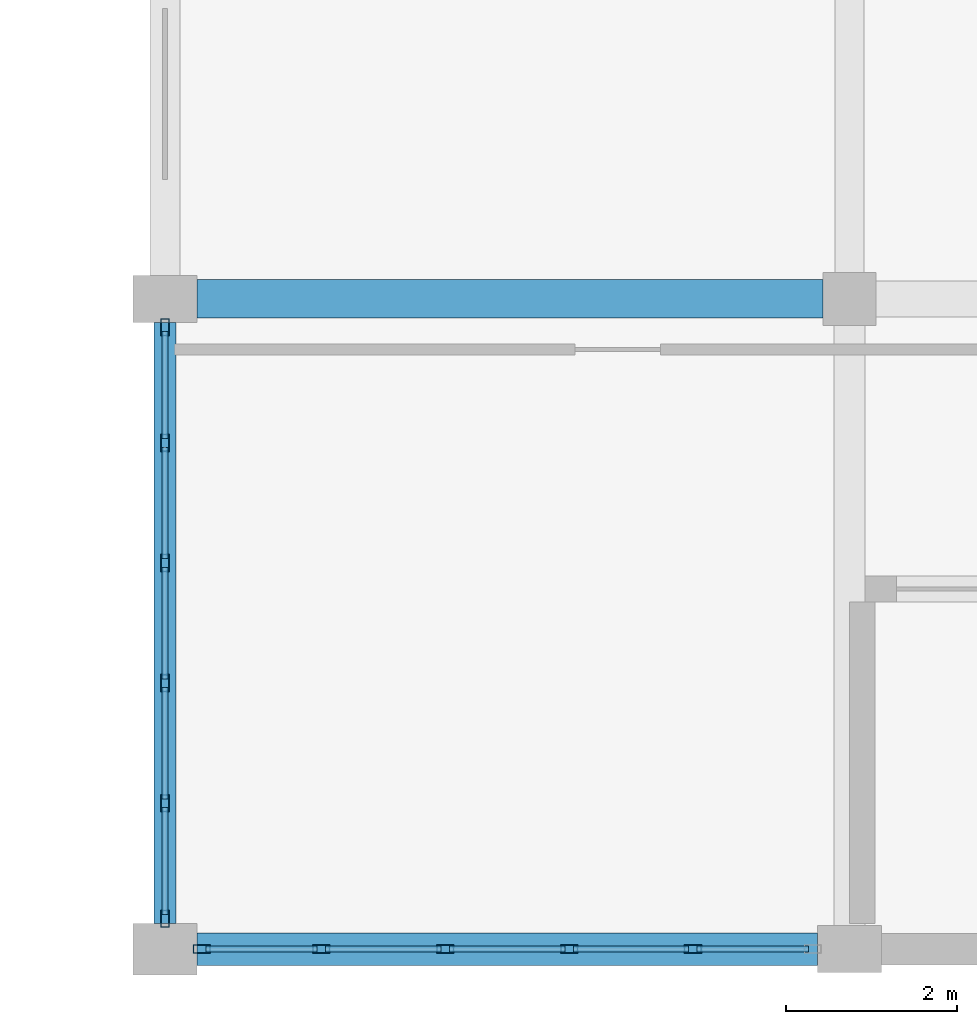
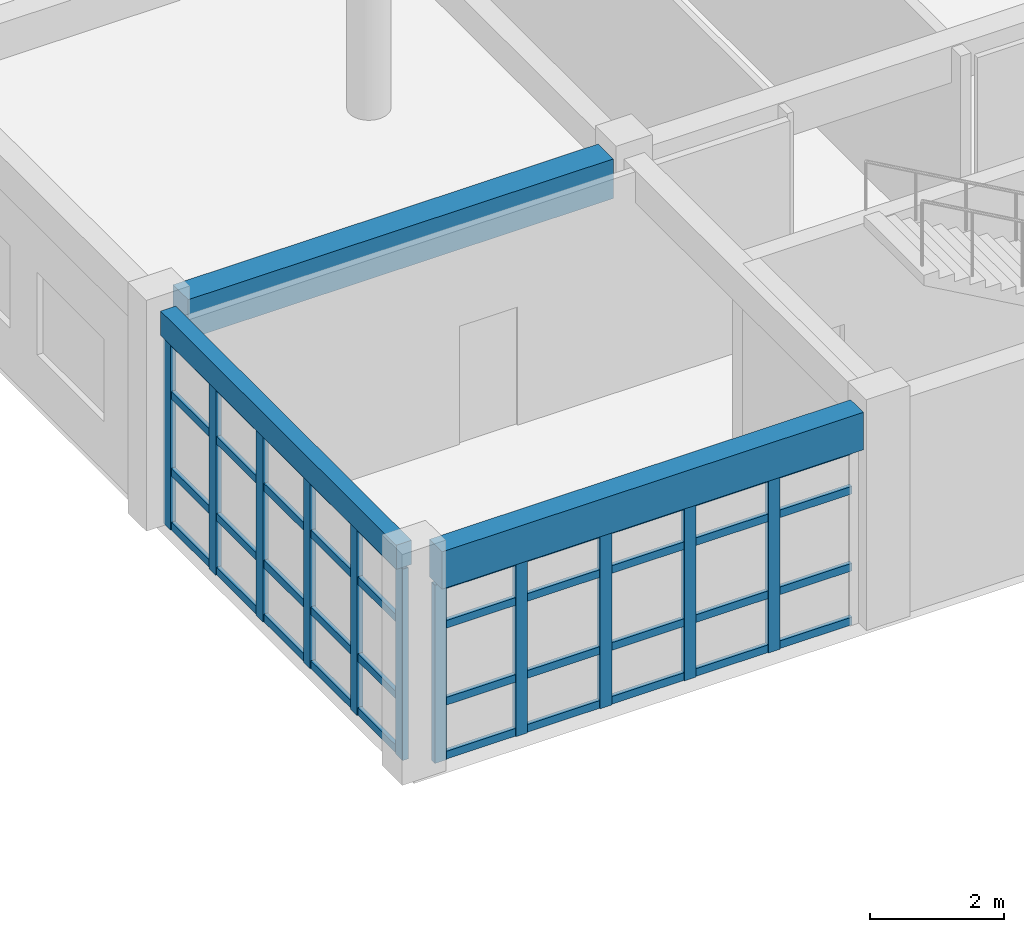
# One storey, part 77 of 195: 51 members, 3 beams, 2 elements without a shape of their own.
"""IFC4 building model written with IfcOpenShell, lengths in metres."""

from ifc_helpers import new_model, si_unit, direction, frame, origin, origin_2d, place, context, subcontext, project, spatial, rectangle, hollow_rectangle, extrude, material, material_profile, profile_set, type_object, element, aggregate, save


model = new_model("IFC4")

# Units and contexts
model_context = context("Model", 3, precision=1e-05, world=origin(), true_north=direction((0.0, 1.0)))
body_context = subcontext(model_context, "Body", "Model", "MODEL_VIEW")
ifc_project = project(units=[si_unit("LENGTHUNIT", "METRE"), si_unit("AREAUNIT", "SQUARE_METRE"), si_unit("VOLUMEUNIT", "CUBIC_METRE"), si_unit("PLANEANGLEUNIT", "RADIAN"), si_unit("MASSUNIT", "GRAM", prefix="KILO")], contexts=[model_context])

# Site, building, storey
site_placement = place(None, origin())
site = spatial("IfcSite", under=ifc_project, at=site_placement, CompositionType="ELEMENT")
building_placement = place(site_placement, origin())
building = spatial("IfcBuilding", under=site, at=building_placement, Name="Kharva Crest Polytechnic", CompositionType="ELEMENT")
storey_placement = place(building_placement, frame((0.0, 0.0, 9.0)))
storey = spatial("IfcBuildingStorey", under=building, at=storey_placement, Name="L02", CompositionType="ELEMENT", Elevation=9.0)

# Beam
ifc_material_1 = material(Name="Concrete C35/45", Category="concrete")
ifc_material_profile_1 = material_profile(ifc_material_1, rectangle(XDim=0.449951171875, YDim=0.719970703125, at=origin_2d()), Name="RECT 450 X 720")
ifc_profile_set_1 = profile_set([ifc_material_profile_1], Name="Concrete C35/45")
beam_type_1 = type_object("IfcBeamType", Name="BM-RC-450X720", PredefinedType="BEAM", material=ifc_profile_set_1)
beam_1_placement = place(storey_placement, frame((121.175048828125, 7.60009765625, 3.56005859375), z_axis=(1.0, 0.0, 0.0), x_axis=(0.0, 1.0, 0.0)))
element("IfcBeam", 1, at=beam_1_placement, inside=storey, type_object=beam_type_1, Name="L02 Beam B/16J-17", PredefinedType="BEAM", context=body_context, shape_type="SweptSolid", body=[
    extrude(rectangle(XDim=0.449951171875, YDim=0.719970703125, at=origin_2d()), origin(), (0.0, 0.0, 1.0), 7.31494140625),
])

# Curtain wall, members
ifc_material_2 = material(Name="Tempered insulated glass", Category="glass")
curtain_wall_type = type_object("IfcCurtainWallType", Name="CW-SYS-REFECTORY", PredefinedType="USERDEFINED", material=ifc_material_2)
curtain_wall_1_placement = place(storey_placement, origin())
curtain_wall_1 = element("IfcCurtainWall", 2, at=curtain_wall_1_placement, inside=storey, type_object=curtain_wall_type, Name="L02 Glazed Curtain Wall CW-093", ObjectType="CURTAIN WALL", PredefinedType="USERDEFINED")
ifc_material_3 = material(Name="Steel S355", Category="steel")
ifc_material_profile_2 = material_profile(ifc_material_3, hollow_rectangle(XDim=0.10009765625, YDim=0.199951171875, WallThickness=0.00634765625, at=origin_2d()), Name="RHS 200X100X6.3")
ifc_profile_set_2 = profile_set([ifc_material_profile_2], Name="Steel S355")
member_type_1 = type_object("IfcMemberType", Name="CWM-RHS200X100", PredefinedType="MULLION", material=ifc_profile_set_2)
member_1_placement = place(storey_placement, frame((120.800048828125, 7.27001953125, 0.0), z_axis=(0.0, 0.0, 1.0), x_axis=(1.0, 0.0, 0.0)))
member_1 = element("IfcMember", 3, at=member_1_placement, type_object=member_type_1, Name="CW-093 mullion 1", PredefinedType="MULLION", context=body_context, shape_type="SweptSolid", body=[
    extrude(hollow_rectangle(XDim=0.10009765625, YDim=0.199951171875, WallThickness=0.00634765625, at=origin_2d()), origin(), (0.0, 0.0, 1.0), 3.47998046875),
])
member_2_placement = place(storey_placement, frame((120.800048828125, 5.9169921875, 0.0), z_axis=(0.0, 0.0, 1.0), x_axis=(1.0, 0.0, 0.0)))
member_2 = element("IfcMember", 4, at=member_2_placement, type_object=member_type_1, Name="CW-093 mullion 2", PredefinedType="MULLION", context=body_context, shape_type="SweptSolid", body=[
    extrude(hollow_rectangle(XDim=0.10009765625, YDim=0.199951171875, WallThickness=0.00634765625, at=origin_2d()), origin(), (0.0, 0.0, 1.0), 3.47998046875),
])
member_3_placement = place(storey_placement, frame((120.800048828125, 4.513916015625, 0.0), z_axis=(0.0, 0.0, 1.0), x_axis=(1.0, 0.0, 0.0)))
member_3 = element("IfcMember", 5, at=member_3_placement, type_object=member_type_1, Name="CW-093 mullion 3", PredefinedType="MULLION", context=body_context, shape_type="SweptSolid", body=[
    extrude(hollow_rectangle(XDim=0.10009765625, YDim=0.199951171875, WallThickness=0.00634765625, at=origin_2d()), origin(), (0.0, 0.0, 1.0), 3.47998046875),
])
member_4_placement = place(storey_placement, frame((120.800048828125, 3.111083984375, 0.0), z_axis=(0.0, 0.0, 1.0), x_axis=(1.0, 0.0, 0.0)))
member_4 = element("IfcMember", 6, at=member_4_placement, type_object=member_type_1, Name="CW-093 mullion 4", PredefinedType="MULLION", context=body_context, shape_type="SweptSolid", body=[
    extrude(hollow_rectangle(XDim=0.10009765625, YDim=0.199951171875, WallThickness=0.00634765625, at=origin_2d()), origin(), (0.0, 0.0, 1.0), 3.47998046875),
])
member_5_placement = place(storey_placement, frame((120.800048828125, 1.7080078125, 0.0), z_axis=(0.0, 0.0, 1.0), x_axis=(1.0, 0.0, 0.0)))
member_5 = element("IfcMember", 7, at=member_5_placement, type_object=member_type_1, Name="CW-093 mullion 5", PredefinedType="MULLION", context=body_context, shape_type="SweptSolid", body=[
    extrude(hollow_rectangle(XDim=0.10009765625, YDim=0.199951171875, WallThickness=0.00634765625, at=origin_2d()), origin(), (0.0, 0.0, 1.0), 3.47998046875),
])
member_6_placement = place(storey_placement, frame((120.800048828125, 0.35498046875, 0.0), z_axis=(0.0, 0.0, 1.0), x_axis=(1.0, 0.0, 0.0)))
member_6 = element("IfcMember", 8, at=member_6_placement, type_object=member_type_1, Name="CW-093 mullion 6", PredefinedType="MULLION", context=body_context, shape_type="SweptSolid", body=[
    extrude(hollow_rectangle(XDim=0.10009765625, YDim=0.199951171875, WallThickness=0.00634765625, at=origin_2d()), origin(), (0.0, 0.0, 1.0), 3.47998046875),
])

curtain_wall_2_placement = place(storey_placement, origin())
curtain_wall_2 = element("IfcCurtainWall", 9, at=curtain_wall_2_placement, inside=storey, type_object=curtain_wall_type, Name="L02 Glazed Curtain Wall CW-094", ObjectType="CURTAIN WALL", PredefinedType="USERDEFINED")
member_7_placement = place(storey_placement, frame((121.22998046875, 0.0, 0.0), z_axis=(0.0, 0.0, 1.0), x_axis=(0.0, 1.0, 0.0)))
member_7 = element("IfcMember", 10, at=member_7_placement, type_object=member_type_1, Name="CW-094 mullion 1", PredefinedType="MULLION", context=body_context, shape_type="SweptSolid", body=[
    extrude(hollow_rectangle(XDim=0.10009765625, YDim=0.199951171875, WallThickness=0.00634765625, at=origin_2d()), origin(), (0.0, 0.0, 1.0), 3.239990234375),
])
member_8_placement = place(storey_placement, frame((122.6279296875, 0.0, 0.0), z_axis=(0.0, 0.0, 1.0), x_axis=(0.0, 1.0, 0.0)))
member_8 = element("IfcMember", 11, at=member_8_placement, type_object=member_type_1, Name="CW-094 mullion 2", PredefinedType="MULLION", context=body_context, shape_type="SweptSolid", body=[
    extrude(hollow_rectangle(XDim=0.10009765625, YDim=0.199951171875, WallThickness=0.00634765625, at=origin_2d()), origin(), (0.0, 0.0, 1.0), 3.239990234375),
])
member_9_placement = place(storey_placement, frame((124.075927734375, 0.0, 0.0), z_axis=(0.0, 0.0, 1.0), x_axis=(0.0, 1.0, 0.0)))
member_9 = element("IfcMember", 12, at=member_9_placement, type_object=member_type_1, Name="CW-094 mullion 3", PredefinedType="MULLION", context=body_context, shape_type="SweptSolid", body=[
    extrude(hollow_rectangle(XDim=0.10009765625, YDim=0.199951171875, WallThickness=0.00634765625, at=origin_2d()), origin(), (0.0, 0.0, 1.0), 3.239990234375),
])
member_10_placement = place(storey_placement, frame((125.52392578125, 0.0, 0.0), z_axis=(0.0, 0.0, 1.0), x_axis=(0.0, 1.0, 0.0)))
member_10 = element("IfcMember", 13, at=member_10_placement, type_object=member_type_1, Name="CW-094 mullion 4", PredefinedType="MULLION", context=body_context, shape_type="SweptSolid", body=[
    extrude(hollow_rectangle(XDim=0.10009765625, YDim=0.199951171875, WallThickness=0.00634765625, at=origin_2d()), origin(), (0.0, 0.0, 1.0), 3.239990234375),
])
member_11_placement = place(storey_placement, frame((126.971923828125, 0.0, 0.0), z_axis=(0.0, 0.0, 1.0), x_axis=(0.0, 1.0, 0.0)))
member_11 = element("IfcMember", 14, at=member_11_placement, type_object=member_type_1, Name="CW-094 mullion 5", PredefinedType="MULLION", context=body_context, shape_type="SweptSolid", body=[
    extrude(hollow_rectangle(XDim=0.10009765625, YDim=0.199951171875, WallThickness=0.00634765625, at=origin_2d()), origin(), (0.0, 0.0, 1.0), 3.239990234375),
])

# Member
ifc_material_profile_3 = material_profile(ifc_material_3, hollow_rectangle(XDim=0.070068359375, YDim=0.139892578125, WallThickness=0.00390625, at=origin_2d()), Name="RHS 140X70X4.0")
ifc_profile_set_3 = profile_set([ifc_material_profile_3], Name="Steel S355")
member_type_2 = type_object("IfcMemberType", Name="CWT-RHS140X70", PredefinedType="USERDEFINED", material=ifc_profile_set_3)
member_12_placement = place(storey_placement, frame((120.800048828125, 7.219970703125, 0.070068359375), z_axis=(0.0, -1.0, 0.0), x_axis=(1.0, 0.0, 0.0)))
member_12 = element("IfcMember", 15, at=member_12_placement, type_object=member_type_2, Name="CW-093 transom 1.1", ObjectType="TRANSOM", PredefinedType="USERDEFINED", context=body_context, shape_type="SweptSolid", body=[
    extrude(hollow_rectangle(XDim=0.070068359375, YDim=0.139892578125, WallThickness=0.00390625, at=origin_2d()), origin(), (0.0, 0.0, 1.0), 1.2529296875),
])

member_13_placement = place(storey_placement, frame((120.800048828125, 7.219970703125, 1.050048828125), z_axis=(0.0, -1.0, 0.0), x_axis=(1.0, 0.0, 0.0)))
member_13 = element("IfcMember", 16, at=member_13_placement, type_object=member_type_2, Name="CW-093 transom 1.2", ObjectType="TRANSOM", PredefinedType="USERDEFINED", context=body_context, shape_type="SweptSolid", body=[
    extrude(hollow_rectangle(XDim=0.070068359375, YDim=0.139892578125, WallThickness=0.00390625, at=origin_2d()), origin(), (0.0, 0.0, 1.0), 1.2529296875),
])

member_14_placement = place(storey_placement, frame((120.800048828125, 7.219970703125, 2.449951171875), z_axis=(0.0, -1.0, 0.0), x_axis=(1.0, 0.0, 0.0)))
member_14 = element("IfcMember", 17, at=member_14_placement, type_object=member_type_2, Name="CW-093 transom 1.3", ObjectType="TRANSOM", PredefinedType="USERDEFINED", context=body_context, shape_type="SweptSolid", body=[
    extrude(hollow_rectangle(XDim=0.070068359375, YDim=0.139892578125, WallThickness=0.00390625, at=origin_2d()), origin(), (0.0, 0.0, 1.0), 1.2529296875),
])

member_15_placement = place(storey_placement, frame((120.800048828125, 7.219970703125, 3.409912109375), z_axis=(0.0, -1.0, 0.0), x_axis=(1.0, 0.0, 0.0)))
member_15 = element("IfcMember", 18, at=member_15_placement, type_object=member_type_2, Name="CW-093 transom 1.4", ObjectType="TRANSOM", PredefinedType="USERDEFINED", context=body_context, shape_type="SweptSolid", body=[
    extrude(hollow_rectangle(XDim=0.070068359375, YDim=0.139892578125, WallThickness=0.00390625, at=origin_2d()), origin(), (0.0, 0.0, 1.0), 1.2529296875),
])

member_16_placement = place(storey_placement, frame((120.800048828125, 5.866943359375, 0.070068359375), z_axis=(0.0, -1.0, 0.0), x_axis=(1.0, 0.0, 0.0)))
member_16 = element("IfcMember", 19, at=member_16_placement, type_object=member_type_2, Name="CW-093 transom 2.1", ObjectType="TRANSOM", PredefinedType="USERDEFINED", context=body_context, shape_type="SweptSolid", body=[
    extrude(hollow_rectangle(XDim=0.070068359375, YDim=0.139892578125, WallThickness=0.00390625, at=origin_2d()), origin(), (0.0, 0.0, 1.0), 1.302978515625),
])

member_17_placement = place(storey_placement, frame((120.800048828125, 5.866943359375, 1.050048828125), z_axis=(0.0, -1.0, 0.0), x_axis=(1.0, 0.0, 0.0)))
member_17 = element("IfcMember", 20, at=member_17_placement, type_object=member_type_2, Name="CW-093 transom 2.2", ObjectType="TRANSOM", PredefinedType="USERDEFINED", context=body_context, shape_type="SweptSolid", body=[
    extrude(hollow_rectangle(XDim=0.070068359375, YDim=0.139892578125, WallThickness=0.00390625, at=origin_2d()), origin(), (0.0, 0.0, 1.0), 1.302978515625),
])

member_18_placement = place(storey_placement, frame((120.800048828125, 5.866943359375, 2.449951171875), z_axis=(0.0, -1.0, 0.0), x_axis=(1.0, 0.0, 0.0)))
member_18 = element("IfcMember", 21, at=member_18_placement, type_object=member_type_2, Name="CW-093 transom 2.3", ObjectType="TRANSOM", PredefinedType="USERDEFINED", context=body_context, shape_type="SweptSolid", body=[
    extrude(hollow_rectangle(XDim=0.070068359375, YDim=0.139892578125, WallThickness=0.00390625, at=origin_2d()), origin(), (0.0, 0.0, 1.0), 1.302978515625),
])

member_19_placement = place(storey_placement, frame((120.800048828125, 5.866943359375, 3.409912109375), z_axis=(0.0, -1.0, 0.0), x_axis=(1.0, 0.0, 0.0)))
member_19 = element("IfcMember", 22, at=member_19_placement, type_object=member_type_2, Name="CW-093 transom 2.4", ObjectType="TRANSOM", PredefinedType="USERDEFINED", context=body_context, shape_type="SweptSolid", body=[
    extrude(hollow_rectangle(XDim=0.070068359375, YDim=0.139892578125, WallThickness=0.00390625, at=origin_2d()), origin(), (0.0, 0.0, 1.0), 1.302978515625),
])

member_20_placement = place(storey_placement, frame((120.800048828125, 4.464111328125, 0.070068359375), z_axis=(0.0, -1.0, 0.0), x_axis=(1.0, 0.0, 0.0)))
member_20 = element("IfcMember", 23, at=member_20_placement, type_object=member_type_2, Name="CW-093 transom 3.1", ObjectType="TRANSOM", PredefinedType="USERDEFINED", context=body_context, shape_type="SweptSolid", body=[
    extrude(hollow_rectangle(XDim=0.070068359375, YDim=0.139892578125, WallThickness=0.00390625, at=origin_2d()), origin(), (0.0, 0.0, 1.0), 1.30322265625),
])

member_21_placement = place(storey_placement, frame((120.800048828125, 4.464111328125, 1.050048828125), z_axis=(0.0, -1.0, 0.0), x_axis=(1.0, 0.0, 0.0)))
member_21 = element("IfcMember", 24, at=member_21_placement, type_object=member_type_2, Name="CW-093 transom 3.2", ObjectType="TRANSOM", PredefinedType="USERDEFINED", context=body_context, shape_type="SweptSolid", body=[
    extrude(hollow_rectangle(XDim=0.070068359375, YDim=0.139892578125, WallThickness=0.00390625, at=origin_2d()), origin(), (0.0, 0.0, 1.0), 1.30322265625),
])

member_22_placement = place(storey_placement, frame((120.800048828125, 4.464111328125, 2.449951171875), z_axis=(0.0, -1.0, 0.0), x_axis=(1.0, 0.0, 0.0)))
member_22 = element("IfcMember", 25, at=member_22_placement, type_object=member_type_2, Name="CW-093 transom 3.3", ObjectType="TRANSOM", PredefinedType="USERDEFINED", context=body_context, shape_type="SweptSolid", body=[
    extrude(hollow_rectangle(XDim=0.070068359375, YDim=0.139892578125, WallThickness=0.00390625, at=origin_2d()), origin(), (0.0, 0.0, 1.0), 1.30322265625),
])

member_23_placement = place(storey_placement, frame((120.800048828125, 4.464111328125, 3.409912109375), z_axis=(0.0, -1.0, 0.0), x_axis=(1.0, 0.0, 0.0)))
member_23 = element("IfcMember", 26, at=member_23_placement, type_object=member_type_2, Name="CW-093 transom 3.4", ObjectType="TRANSOM", PredefinedType="USERDEFINED", context=body_context, shape_type="SweptSolid", body=[
    extrude(hollow_rectangle(XDim=0.070068359375, YDim=0.139892578125, WallThickness=0.00390625, at=origin_2d()), origin(), (0.0, 0.0, 1.0), 1.30322265625),
])

member_24_placement = place(storey_placement, frame((120.800048828125, 3.06103515625, 0.070068359375), z_axis=(0.0, -1.0, 0.0), x_axis=(1.0, 0.0, 0.0)))
member_24 = element("IfcMember", 27, at=member_24_placement, type_object=member_type_2, Name="CW-093 transom 4.1", ObjectType="TRANSOM", PredefinedType="USERDEFINED", context=body_context, shape_type="SweptSolid", body=[
    extrude(hollow_rectangle(XDim=0.070068359375, YDim=0.139892578125, WallThickness=0.00390625, at=origin_2d()), origin(), (0.0, 0.0, 1.0), 1.302978515625),
])

member_25_placement = place(storey_placement, frame((120.800048828125, 3.06103515625, 1.050048828125), z_axis=(0.0, -1.0, 0.0), x_axis=(1.0, 0.0, 0.0)))
member_25 = element("IfcMember", 28, at=member_25_placement, type_object=member_type_2, Name="CW-093 transom 4.2", ObjectType="TRANSOM", PredefinedType="USERDEFINED", context=body_context, shape_type="SweptSolid", body=[
    extrude(hollow_rectangle(XDim=0.070068359375, YDim=0.139892578125, WallThickness=0.00390625, at=origin_2d()), origin(), (0.0, 0.0, 1.0), 1.302978515625),
])

member_26_placement = place(storey_placement, frame((120.800048828125, 3.06103515625, 2.449951171875), z_axis=(0.0, -1.0, 0.0), x_axis=(1.0, 0.0, 0.0)))
member_26 = element("IfcMember", 29, at=member_26_placement, type_object=member_type_2, Name="CW-093 transom 4.3", ObjectType="TRANSOM", PredefinedType="USERDEFINED", context=body_context, shape_type="SweptSolid", body=[
    extrude(hollow_rectangle(XDim=0.070068359375, YDim=0.139892578125, WallThickness=0.00390625, at=origin_2d()), origin(), (0.0, 0.0, 1.0), 1.302978515625),
])

member_27_placement = place(storey_placement, frame((120.800048828125, 3.06103515625, 3.409912109375), z_axis=(0.0, -1.0, 0.0), x_axis=(1.0, 0.0, 0.0)))
member_27 = element("IfcMember", 30, at=member_27_placement, type_object=member_type_2, Name="CW-093 transom 4.4", ObjectType="TRANSOM", PredefinedType="USERDEFINED", context=body_context, shape_type="SweptSolid", body=[
    extrude(hollow_rectangle(XDim=0.070068359375, YDim=0.139892578125, WallThickness=0.00390625, at=origin_2d()), origin(), (0.0, 0.0, 1.0), 1.302978515625),
])

member_28_placement = place(storey_placement, frame((120.800048828125, 1.657958984375, 0.070068359375), z_axis=(0.0, -1.0, 0.0), x_axis=(1.0, 0.0, 0.0)))
member_28 = element("IfcMember", 31, at=member_28_placement, type_object=member_type_2, Name="CW-093 transom 5.1", ObjectType="TRANSOM", PredefinedType="USERDEFINED", context=body_context, shape_type="SweptSolid", body=[
    extrude(hollow_rectangle(XDim=0.070068359375, YDim=0.139892578125, WallThickness=0.00390625, at=origin_2d()), origin(), (0.0, 0.0, 1.0), 1.2529296875),
])

member_29_placement = place(storey_placement, frame((120.800048828125, 1.657958984375, 1.050048828125), z_axis=(0.0, -1.0, 0.0), x_axis=(1.0, 0.0, 0.0)))
member_29 = element("IfcMember", 32, at=member_29_placement, type_object=member_type_2, Name="CW-093 transom 5.2", ObjectType="TRANSOM", PredefinedType="USERDEFINED", context=body_context, shape_type="SweptSolid", body=[
    extrude(hollow_rectangle(XDim=0.070068359375, YDim=0.139892578125, WallThickness=0.00390625, at=origin_2d()), origin(), (0.0, 0.0, 1.0), 1.2529296875),
])

member_30_placement = place(storey_placement, frame((120.800048828125, 1.657958984375, 2.449951171875), z_axis=(0.0, -1.0, 0.0), x_axis=(1.0, 0.0, 0.0)))
member_30 = element("IfcMember", 33, at=member_30_placement, type_object=member_type_2, Name="CW-093 transom 5.3", ObjectType="TRANSOM", PredefinedType="USERDEFINED", context=body_context, shape_type="SweptSolid", body=[
    extrude(hollow_rectangle(XDim=0.070068359375, YDim=0.139892578125, WallThickness=0.00390625, at=origin_2d()), origin(), (0.0, 0.0, 1.0), 1.2529296875),
])

member_31_placement = place(storey_placement, frame((120.800048828125, 1.657958984375, 3.409912109375), z_axis=(0.0, -1.0, 0.0), x_axis=(1.0, 0.0, 0.0)))
member_31 = element("IfcMember", 34, at=member_31_placement, type_object=member_type_2, Name="CW-093 transom 5.4", ObjectType="TRANSOM", PredefinedType="USERDEFINED", context=body_context, shape_type="SweptSolid", body=[
    extrude(hollow_rectangle(XDim=0.070068359375, YDim=0.139892578125, WallThickness=0.00390625, at=origin_2d()), origin(), (0.0, 0.0, 1.0), 1.2529296875),
])

aggregate(curtain_wall_1, [member_1, member_2, member_3, member_4, member_5, member_6, member_12, member_13, member_14, member_15, member_16, member_17, member_18, member_19, member_20, member_21, member_22, member_23, member_24, member_25, member_26, member_27, member_28, member_29, member_30, member_31])

member_32_placement = place(storey_placement, frame((121.280029296875, 0.0, 0.070068359375), z_axis=(1.0, 0.0, 0.0), x_axis=(0.0, 1.0, 0.0)))
member_32 = element("IfcMember", 35, at=member_32_placement, type_object=member_type_2, Name="CW-094 transom 1.1", ObjectType="TRANSOM", PredefinedType="USERDEFINED", context=body_context, shape_type="SweptSolid", body=[
    extrude(hollow_rectangle(XDim=0.070068359375, YDim=0.139892578125, WallThickness=0.00390625, at=origin_2d()), origin(), (0.0, 0.0, 1.0), 1.2978515625),
])

member_33_placement = place(storey_placement, frame((121.280029296875, 0.0, 1.050048828125), z_axis=(1.0, 0.0, 0.0), x_axis=(0.0, 1.0, 0.0)))
member_33 = element("IfcMember", 36, at=member_33_placement, type_object=member_type_2, Name="CW-094 transom 1.2", ObjectType="TRANSOM", PredefinedType="USERDEFINED", context=body_context, shape_type="SweptSolid", body=[
    extrude(hollow_rectangle(XDim=0.070068359375, YDim=0.139892578125, WallThickness=0.00390625, at=origin_2d()), origin(), (0.0, 0.0, 1.0), 1.2978515625),
])

member_34_placement = place(storey_placement, frame((121.280029296875, 0.0, 2.449951171875), z_axis=(1.0, 0.0, 0.0), x_axis=(0.0, 1.0, 0.0)))
member_34 = element("IfcMember", 37, at=member_34_placement, type_object=member_type_2, Name="CW-094 transom 1.3", ObjectType="TRANSOM", PredefinedType="USERDEFINED", context=body_context, shape_type="SweptSolid", body=[
    extrude(hollow_rectangle(XDim=0.070068359375, YDim=0.139892578125, WallThickness=0.00390625, at=origin_2d()), origin(), (0.0, 0.0, 1.0), 1.2978515625),
])

member_35_placement = place(storey_placement, frame((121.280029296875, 0.0, 3.169921875), z_axis=(1.0, 0.0, 0.0), x_axis=(0.0, 1.0, 0.0)))
member_35 = element("IfcMember", 38, at=member_35_placement, type_object=member_type_2, Name="CW-094 transom 1.4", ObjectType="TRANSOM", PredefinedType="USERDEFINED", context=body_context, shape_type="SweptSolid", body=[
    extrude(hollow_rectangle(XDim=0.070068359375, YDim=0.139892578125, WallThickness=0.00390625, at=origin_2d()), origin(), (0.0, 0.0, 1.0), 1.2978515625),
])

member_36_placement = place(storey_placement, frame((122.677978515625, 0.0, 0.070068359375), z_axis=(1.0, 0.0, 0.0), x_axis=(0.0, 1.0, 0.0)))
member_36 = element("IfcMember", 39, at=member_36_placement, type_object=member_type_2, Name="CW-094 transom 2.1", ObjectType="TRANSOM", PredefinedType="USERDEFINED", context=body_context, shape_type="SweptSolid", body=[
    extrude(hollow_rectangle(XDim=0.070068359375, YDim=0.139892578125, WallThickness=0.00390625, at=origin_2d()), origin(), (0.0, 0.0, 1.0), 1.347900390625),
])

member_37_placement = place(storey_placement, frame((122.677978515625, 0.0, 1.050048828125), z_axis=(1.0, 0.0, 0.0), x_axis=(0.0, 1.0, 0.0)))
member_37 = element("IfcMember", 40, at=member_37_placement, type_object=member_type_2, Name="CW-094 transom 2.2", ObjectType="TRANSOM", PredefinedType="USERDEFINED", context=body_context, shape_type="SweptSolid", body=[
    extrude(hollow_rectangle(XDim=0.070068359375, YDim=0.139892578125, WallThickness=0.00390625, at=origin_2d()), origin(), (0.0, 0.0, 1.0), 1.347900390625),
])

member_38_placement = place(storey_placement, frame((122.677978515625, 0.0, 2.449951171875), z_axis=(1.0, 0.0, 0.0), x_axis=(0.0, 1.0, 0.0)))
member_38 = element("IfcMember", 41, at=member_38_placement, type_object=member_type_2, Name="CW-094 transom 2.3", ObjectType="TRANSOM", PredefinedType="USERDEFINED", context=body_context, shape_type="SweptSolid", body=[
    extrude(hollow_rectangle(XDim=0.070068359375, YDim=0.139892578125, WallThickness=0.00390625, at=origin_2d()), origin(), (0.0, 0.0, 1.0), 1.347900390625),
])

member_39_placement = place(storey_placement, frame((122.677978515625, 0.0, 3.169921875), z_axis=(1.0, 0.0, 0.0), x_axis=(0.0, 1.0, 0.0)))
member_39 = element("IfcMember", 42, at=member_39_placement, type_object=member_type_2, Name="CW-094 transom 2.4", ObjectType="TRANSOM", PredefinedType="USERDEFINED", context=body_context, shape_type="SweptSolid", body=[
    extrude(hollow_rectangle(XDim=0.070068359375, YDim=0.139892578125, WallThickness=0.00390625, at=origin_2d()), origin(), (0.0, 0.0, 1.0), 1.347900390625),
])

member_40_placement = place(storey_placement, frame((124.1259765625, 0.0, 0.070068359375), z_axis=(1.0, 0.0, 0.0), x_axis=(0.0, 1.0, 0.0)))
member_40 = element("IfcMember", 43, at=member_40_placement, type_object=member_type_2, Name="CW-094 transom 3.1", ObjectType="TRANSOM", PredefinedType="USERDEFINED", context=body_context, shape_type="SweptSolid", body=[
    extrude(hollow_rectangle(XDim=0.070068359375, YDim=0.139892578125, WallThickness=0.00390625, at=origin_2d()), origin(), (0.0, 0.0, 1.0), 1.34814453125),
])

member_41_placement = place(storey_placement, frame((124.1259765625, 0.0, 1.050048828125), z_axis=(1.0, 0.0, 0.0), x_axis=(0.0, 1.0, 0.0)))
member_41 = element("IfcMember", 44, at=member_41_placement, type_object=member_type_2, Name="CW-094 transom 3.2", ObjectType="TRANSOM", PredefinedType="USERDEFINED", context=body_context, shape_type="SweptSolid", body=[
    extrude(hollow_rectangle(XDim=0.070068359375, YDim=0.139892578125, WallThickness=0.00390625, at=origin_2d()), origin(), (0.0, 0.0, 1.0), 1.34814453125),
])

member_42_placement = place(storey_placement, frame((124.1259765625, 0.0, 2.449951171875), z_axis=(1.0, 0.0, 0.0), x_axis=(0.0, 1.0, 0.0)))
member_42 = element("IfcMember", 45, at=member_42_placement, type_object=member_type_2, Name="CW-094 transom 3.3", ObjectType="TRANSOM", PredefinedType="USERDEFINED", context=body_context, shape_type="SweptSolid", body=[
    extrude(hollow_rectangle(XDim=0.070068359375, YDim=0.139892578125, WallThickness=0.00390625, at=origin_2d()), origin(), (0.0, 0.0, 1.0), 1.34814453125),
])

member_43_placement = place(storey_placement, frame((124.1259765625, 0.0, 3.169921875), z_axis=(1.0, 0.0, 0.0), x_axis=(0.0, 1.0, 0.0)))
member_43 = element("IfcMember", 46, at=member_43_placement, type_object=member_type_2, Name="CW-094 transom 3.4", ObjectType="TRANSOM", PredefinedType="USERDEFINED", context=body_context, shape_type="SweptSolid", body=[
    extrude(hollow_rectangle(XDim=0.070068359375, YDim=0.139892578125, WallThickness=0.00390625, at=origin_2d()), origin(), (0.0, 0.0, 1.0), 1.34814453125),
])

member_44_placement = place(storey_placement, frame((125.573974609375, 0.0, 0.070068359375), z_axis=(1.0, 0.0, 0.0), x_axis=(0.0, 1.0, 0.0)))
member_44 = element("IfcMember", 47, at=member_44_placement, type_object=member_type_2, Name="CW-094 transom 4.1", ObjectType="TRANSOM", PredefinedType="USERDEFINED", context=body_context, shape_type="SweptSolid", body=[
    extrude(hollow_rectangle(XDim=0.070068359375, YDim=0.139892578125, WallThickness=0.00390625, at=origin_2d()), origin(), (0.0, 0.0, 1.0), 1.34814453125),
])

member_45_placement = place(storey_placement, frame((125.573974609375, 0.0, 1.050048828125), z_axis=(1.0, 0.0, 0.0), x_axis=(0.0, 1.0, 0.0)))
member_45 = element("IfcMember", 48, at=member_45_placement, type_object=member_type_2, Name="CW-094 transom 4.2", ObjectType="TRANSOM", PredefinedType="USERDEFINED", context=body_context, shape_type="SweptSolid", body=[
    extrude(hollow_rectangle(XDim=0.070068359375, YDim=0.139892578125, WallThickness=0.00390625, at=origin_2d()), origin(), (0.0, 0.0, 1.0), 1.34814453125),
])

member_46_placement = place(storey_placement, frame((125.573974609375, 0.0, 2.449951171875), z_axis=(1.0, 0.0, 0.0), x_axis=(0.0, 1.0, 0.0)))
member_46 = element("IfcMember", 49, at=member_46_placement, type_object=member_type_2, Name="CW-094 transom 4.3", ObjectType="TRANSOM", PredefinedType="USERDEFINED", context=body_context, shape_type="SweptSolid", body=[
    extrude(hollow_rectangle(XDim=0.070068359375, YDim=0.139892578125, WallThickness=0.00390625, at=origin_2d()), origin(), (0.0, 0.0, 1.0), 1.34814453125),
])

member_47_placement = place(storey_placement, frame((125.573974609375, 0.0, 3.169921875), z_axis=(1.0, 0.0, 0.0), x_axis=(0.0, 1.0, 0.0)))
member_47 = element("IfcMember", 50, at=member_47_placement, type_object=member_type_2, Name="CW-094 transom 4.4", ObjectType="TRANSOM", PredefinedType="USERDEFINED", context=body_context, shape_type="SweptSolid", body=[
    extrude(hollow_rectangle(XDim=0.070068359375, YDim=0.139892578125, WallThickness=0.00390625, at=origin_2d()), origin(), (0.0, 0.0, 1.0), 1.34814453125),
])

member_48_placement = place(storey_placement, frame((127.02197265625, 0.0, 0.070068359375), z_axis=(1.0, 0.0, 0.0), x_axis=(0.0, 1.0, 0.0)))
member_48 = element("IfcMember", 51, at=member_48_placement, type_object=member_type_2, Name="CW-094 transom 5.1", ObjectType="TRANSOM", PredefinedType="USERDEFINED", context=body_context, shape_type="SweptSolid", body=[
    extrude(hollow_rectangle(XDim=0.070068359375, YDim=0.139892578125, WallThickness=0.00390625, at=origin_2d()), origin(), (0.0, 0.0, 1.0), 1.298095703125),
])

member_49_placement = place(storey_placement, frame((127.02197265625, 0.0, 1.050048828125), z_axis=(1.0, 0.0, 0.0), x_axis=(0.0, 1.0, 0.0)))
member_49 = element("IfcMember", 52, at=member_49_placement, type_object=member_type_2, Name="CW-094 transom 5.2", ObjectType="TRANSOM", PredefinedType="USERDEFINED", context=body_context, shape_type="SweptSolid", body=[
    extrude(hollow_rectangle(XDim=0.070068359375, YDim=0.139892578125, WallThickness=0.00390625, at=origin_2d()), origin(), (0.0, 0.0, 1.0), 1.298095703125),
])

member_50_placement = place(storey_placement, frame((127.02197265625, 0.0, 2.449951171875), z_axis=(1.0, 0.0, 0.0), x_axis=(0.0, 1.0, 0.0)))
member_50 = element("IfcMember", 53, at=member_50_placement, type_object=member_type_2, Name="CW-094 transom 5.3", ObjectType="TRANSOM", PredefinedType="USERDEFINED", context=body_context, shape_type="SweptSolid", body=[
    extrude(hollow_rectangle(XDim=0.070068359375, YDim=0.139892578125, WallThickness=0.00390625, at=origin_2d()), origin(), (0.0, 0.0, 1.0), 1.298095703125),
])

member_51_placement = place(storey_placement, frame((127.02197265625, 0.0, 3.169921875), z_axis=(1.0, 0.0, 0.0), x_axis=(0.0, 1.0, 0.0)))
member_51 = element("IfcMember", 54, at=member_51_placement, type_object=member_type_2, Name="CW-094 transom 5.4", ObjectType="TRANSOM", PredefinedType="USERDEFINED", context=body_context, shape_type="SweptSolid", body=[
    extrude(hollow_rectangle(XDim=0.070068359375, YDim=0.139892578125, WallThickness=0.00390625, at=origin_2d()), origin(), (0.0, 0.0, 1.0), 1.298095703125),
])

aggregate(curtain_wall_2, [member_7, member_8, member_9, member_10, member_11, member_32, member_33, member_34, member_35, member_36, member_37, member_38, member_39, member_40, member_41, member_42, member_43, member_44, member_45, member_46, member_47, member_48, member_49, member_50, member_51])

# Beams
ifc_material_profile_4 = material_profile(ifc_material_1, rectangle(XDim=0.260009765625, YDim=0.43994140625, at=origin_2d()), Name="RECT 260 X 440")
ifc_profile_set_4 = profile_set([ifc_material_profile_4], Name="Concrete C35/45")
beam_type_2 = type_object("IfcBeamType", Name="SP-RC-260X440", PredefinedType="SPANDREL", material=ifc_profile_set_4)
beam_2_placement = place(storey_placement, frame((120.800048828125, 0.300048828125, 3.699951171875), z_axis=(0.0, 1.0, 0.0), x_axis=(-1.0, 0.0, 0.0)))
element("IfcBeam", 55, at=beam_2_placement, inside=storey, type_object=beam_type_2, Name="L02 Girder 16J/A-B", PredefinedType="SPANDREL", context=body_context, shape_type="SweptSolid", body=[
    extrude(rectangle(XDim=0.260009765625, YDim=0.43994140625, at=origin_2d()), origin(), (0.0, 0.0, 1.0), 7.02490234375),
])
ifc_material_profile_5 = material_profile(ifc_material_1, rectangle(XDim=0.3798828125, YDim=0.679931640625, at=origin_2d()), Name="RECT 380 X 680")
ifc_profile_set_5 = profile_set([ifc_material_profile_5], Name="Concrete C35/45")
beam_type_3 = type_object("IfcBeamType", Name="SP-RC-380X680", PredefinedType="SPANDREL", material=ifc_profile_set_5)
beam_3_placement = place(storey_placement, frame((121.175048828125, 0.0, 3.580078125), z_axis=(1.0, 0.0, 0.0), x_axis=(0.0, 1.0, 0.0)))
element("IfcBeam", 56, at=beam_3_placement, inside=storey, type_object=beam_type_3, Name="L02 Beam A/16J-17", PredefinedType="SPANDREL", context=body_context, shape_type="SweptSolid", body=[
    extrude(rectangle(XDim=0.3798828125, YDim=0.679931640625, at=origin_2d()), origin(), (0.0, 0.0, 1.0), 7.25),
])

save(model, "model.ifc")
